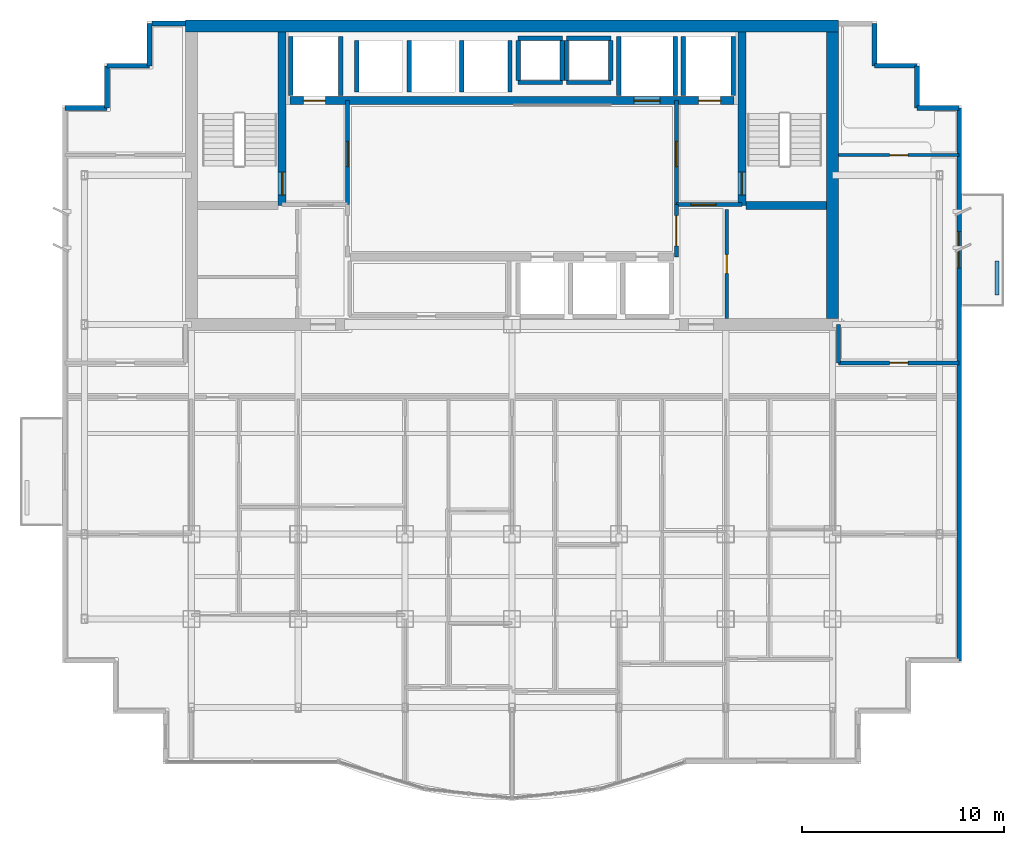
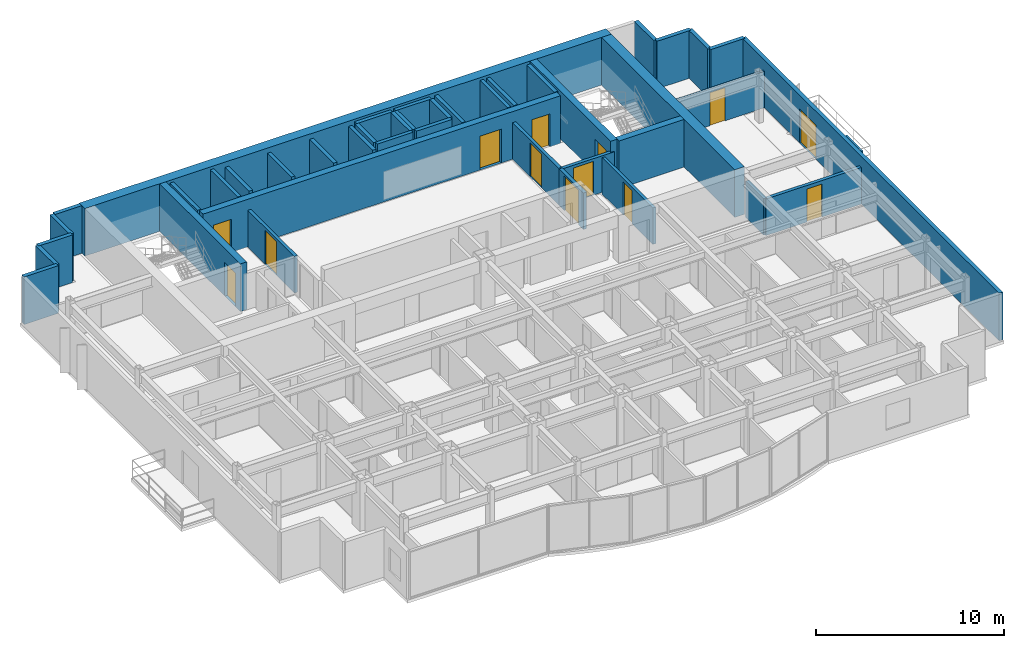
# One storey, part 8 of 11: 43 walls, 13 doors, 13 openings.
"""IFC4 building model written with IfcOpenShell, lengths in metres."""

from ifc_helpers import new_model, si_unit, direction, frame, frame_2d, origin, place, context, subcontext, project, spatial, rectangle, extrude, material, layer, layer_set, type_object, element, fill, save


model = new_model("IFC4")

# Units and contexts
model_context = context("Model", 3, precision=1e-05, world=origin(), true_north=direction((0.0, 1.0)))
body_context = subcontext(model_context, "Body", "Model", "MODEL_VIEW")
ifc_project = project(units=[si_unit("LENGTHUNIT", "METRE"), si_unit("AREAUNIT", "SQUARE_METRE"), si_unit("VOLUMEUNIT", "CUBIC_METRE"), si_unit("PLANEANGLEUNIT", "RADIAN"), si_unit("MASSUNIT", "GRAM", prefix="KILO")], contexts=[model_context])

# Site, building, storey
site_placement = place(None, origin())
site = spatial("IfcSite", under=ifc_project, at=site_placement, CompositionType="ELEMENT")
building_placement = place(site_placement, origin())
building = spatial("IfcBuilding", under=site, at=building_placement, Name="Qianlan Lanfeng Residences", CompositionType="ELEMENT")
storey_placement = place(building_placement, frame((0.0, 0.0, 175.5)))
storey = spatial("IfcBuildingStorey", under=building, at=storey_placement, Name="L48", CompositionType="ELEMENT", Elevation=175.5)

# Wall, opening, door
ifc_material_1 = material(Name="Concrete C56", Category="concrete")
ifc_layer_1 = layer(ifc_material_1, 0.39990234375)
ifc_layer_set_1 = layer_set([ifc_layer_1], Name="Concrete C56")
wall_type_1 = type_object("IfcWallType", Name="CW-RC-400", PredefinedType="SHEAR", material=ifc_layer_set_1)
wall_1_placement = place(storey_placement, frame((15.10009765625, 31.10009765625, 0.0), z_axis=(0.0, 0.0, 1.0), x_axis=(0.0, 1.0, 0.0)))
wall_1 = element("IfcWall", 1, at=wall_1_placement, inside=storey, type_object=wall_type_1, Name="L48 Core Shear Wall ST1E", PredefinedType="SHEAR", context=body_context, shape_type="SweptSolid", body=[
    extrude(rectangle(XDim=8.599853515625, YDim=0.39990234375, at=frame_2d((4.2998046875, 0.0))), origin(), (0.0, 0.0, 1.0), 3.10009765625),
])
opening_1_placement = place(wall_1_placement, frame((0.510009765625, 0.0, 0.0)))
opening_1 = element("IfcOpeningElement", 2, at=opening_1_placement, cuts=wall_1, Name="Opening L48-D07", PredefinedType="OPENING", context=body_context, shape_type="SweptSolid", body=[
    extrude(rectangle(XDim=1.14990234375, YDim=2.199951171875, at=frame_2d((0.574951171875, 1.10009765625))), frame((0.0, 0.2099609375, 0.0), z_axis=(0.0, -1.0, 0.0), x_axis=(1.0, 0.0, 0.0)), (0.0, 0.0, 1.0), 0.419921875),
])
ifc_material_2 = material(Name="Painted Galvanised Steel Fire Door", Category="steel")
door_type_1 = type_object("IfcDoorType", Name="DT-ST1", OperationType="NOTDEFINED", PredefinedType="DOOR", material=ifc_material_2)
door_1_placement = place(opening_1_placement, frame((1.14990234375, 0.0, 0.0), z_axis=(0.0, 0.0, 1.0), x_axis=(-1.0, 0.0, 0.0)))
door_1 = element("IfcDoor", 3, at=door_1_placement, inside=storey, type_object=door_type_1, Name="L48 Exit Stair ST-1 Door L48-D07 (DT-ST1)", OperationType="SINGLE_SWING_RIGHT", OverallHeight=2.199951171875, OverallWidth=1.14990234375, PredefinedType="DOOR", context=body_context, shape_type="SweptSolid", body=[
    extrude(rectangle(XDim=1.14990234375, YDim=2.199951171875, at=frame_2d((0.574951171875, 1.10009765625))), frame((0.0, 0.02490234375, 0.0), z_axis=(0.0, -1.0, 0.0), x_axis=(1.0, 0.0, 0.0)), (0.0, 0.0, 1.0), 0.050048828125),
])
fill(opening_1, door_1)

wall_2_placement = place(storey_placement, frame((37.89990234375, 31.10009765625, 0.0), z_axis=(0.0, 0.0, 1.0), x_axis=(0.0, 1.0, 0.0)))
wall_2 = element("IfcWall", 4, at=wall_2_placement, inside=storey, type_object=wall_type_1, Name="L48 Core Shear Wall ST2W", PredefinedType="SHEAR", context=body_context, shape_type="SweptSolid", body=[
    extrude(rectangle(XDim=8.599853515625, YDim=0.39990234375, at=frame_2d((4.2998046875, 0.0))), origin(), (0.0, 0.0, 1.0), 3.10009765625),
])
opening_2_placement = place(wall_2_placement, frame((0.510009765625, 0.0, 0.0)))
opening_2 = element("IfcOpeningElement", 5, at=opening_2_placement, cuts=wall_2, Name="Opening L48-D08", PredefinedType="OPENING", context=body_context, shape_type="SweptSolid", body=[
    extrude(rectangle(XDim=1.14990234375, YDim=2.199951171875, at=frame_2d((0.574951171875, 1.10009765625))), frame((0.0, 0.2099609375, 0.0), z_axis=(0.0, -1.0, 0.0), x_axis=(1.0, 0.0, 0.0)), (0.0, 0.0, 1.0), 0.419921875),
])
door_2_placement = place(opening_2_placement, origin())
door_2 = element("IfcDoor", 6, at=door_2_placement, inside=storey, type_object=door_type_1, Name="L48 Exit Stair ST-2 Door L48-D08 (DT-ST1)", OperationType="SINGLE_SWING_RIGHT", OverallHeight=2.199951171875, OverallWidth=1.14990234375, PredefinedType="DOOR", context=body_context, shape_type="SweptSolid", body=[
    extrude(rectangle(XDim=1.14990234375, YDim=2.199951171875, at=frame_2d((0.574951171875, 1.10009765625))), frame((0.0, 0.02490234375, 0.0), z_axis=(0.0, -1.0, 0.0), x_axis=(1.0, 0.0, 0.0)), (0.0, 0.0, 1.0), 0.050048828125),
])
fill(opening_2, door_2)

# Wall
wall_3_placement = place(storey_placement, frame((38.10009765625, 31.10009765625, 0.0), z_axis=(0.0, 0.0, 1.0), x_axis=(1.0, 0.0, 0.0)))
element("IfcWall", 7, at=wall_3_placement, inside=storey, type_object=wall_type_1, Name="L48 Core Shear Wall ST2S", PredefinedType="SHEAR", context=body_context, shape_type="SweptSolid", body=[
    extrude(rectangle(XDim=4.0, YDim=0.39990234375, at=frame_2d((2.0, 0.0))), origin(), (0.0, 0.0, 1.0), 3.10009765625),
])

# Wall, openings, doors
wall_4_placement = place(storey_placement, frame((15.5, 36.300048828125, 0.0), z_axis=(0.0, 0.0, 1.0), x_axis=(1.0, 0.0, 0.0)))
wall_4 = element("IfcWall", 8, at=wall_4_placement, inside=storey, type_object=wall_type_1, Name="L48 Core Shear Wall LBN", PredefinedType="SHEAR", context=body_context, shape_type="SweptSolid", body=[
    extrude(rectangle(XDim=22.0, YDim=0.39990234375, at=frame_2d((11.0, 0.0))), origin(), (0.0, 0.0, 1.0), 3.10009765625),
])
opening_3_placement = place(wall_4_placement, frame((0.64990234375, 0.0, 0.0)))
opening_3 = element("IfcOpeningElement", 9, at=opening_3_placement, cuts=wall_4, Name="Opening L48-LD-FFL-1", PredefinedType="OPENING", context=body_context, shape_type="SweptSolid", body=[
    extrude(rectangle(XDim=1.10009765625, YDim=2.14990234375, at=frame_2d((0.550048828125, 1.074951171875))), frame((0.0, 0.2099609375, 0.0), z_axis=(0.0, -1.0, 0.0), x_axis=(1.0, 0.0, 0.0)), (0.0, 0.0, 1.0), 0.419921875),
])
opening_4_placement = place(wall_4_placement, frame((20.25, 0.0, 0.0)))
opening_4 = element("IfcOpeningElement", 10, at=opening_4_placement, cuts=wall_4, Name="Opening L48-LD-FFL-2", PredefinedType="OPENING", context=body_context, shape_type="SweptSolid", body=[
    extrude(rectangle(XDim=1.10009765625, YDim=2.14990234375, at=frame_2d((0.550048828125, 1.074951171875))), frame((0.0, 0.2099609375, 0.0), z_axis=(0.0, -1.0, 0.0), x_axis=(1.0, 0.0, 0.0)), (0.0, 0.0, 1.0), 0.419921875),
])
opening_5_placement = place(wall_4_placement, frame((17.050048828125, 0.0, 0.0)))
opening_5 = element("IfcOpeningElement", 11, at=opening_5_placement, cuts=wall_4, Name="Opening L48-LD-SVL-1", PredefinedType="OPENING", context=body_context, shape_type="SweptSolid", body=[
    extrude(rectangle(XDim=1.300048828125, YDim=2.199951171875, at=frame_2d((0.64990234375, 1.10009765625))), frame((0.0, 0.2099609375, 0.0), z_axis=(0.0, -1.0, 0.0), x_axis=(1.0, 0.0, 0.0)), (0.0, 0.0, 1.0), 0.419921875),
])
ifc_material_3 = material(Name="Brushed Stainless Steel Sliding Lift Door", Category="steel")
door_type_2 = type_object("IfcDoorType", Name="LD-01", OperationType="NOTDEFINED", PredefinedType="DOOR", material=ifc_material_3)
door_3_placement = place(opening_3_placement, frame((1.10009765625, 0.0, 0.0), z_axis=(0.0, 0.0, 1.0), x_axis=(-1.0, 0.0, 0.0)))
door_3 = element("IfcDoor", 12, at=door_3_placement, inside=storey, type_object=door_type_2, Name="L48 Elevator FFL-1 Sliding Landing Door", OperationType="DOUBLE_DOOR_SLIDING", OverallHeight=2.14990234375, OverallWidth=1.10009765625, PredefinedType="DOOR", context=body_context, shape_type="SweptSolid", body=[
    extrude(rectangle(XDim=1.10009765625, YDim=2.14990234375, at=frame_2d((0.550048828125, 1.074951171875))), frame((0.0, 0.02490234375, 0.0), z_axis=(0.0, -1.0, 0.0), x_axis=(1.0, 0.0, 0.0)), (0.0, 0.0, 1.0), 0.050048828125),
])
fill(opening_3, door_3)
door_4_placement = place(opening_4_placement, frame((1.10009765625, 0.0, 0.0), z_axis=(0.0, 0.0, 1.0), x_axis=(-1.0, 0.0, 0.0)))
door_4 = element("IfcDoor", 13, at=door_4_placement, inside=storey, type_object=door_type_2, Name="L48 Elevator FFL-2 Sliding Landing Door", OperationType="DOUBLE_DOOR_SLIDING", OverallHeight=2.14990234375, OverallWidth=1.10009765625, PredefinedType="DOOR", context=body_context, shape_type="SweptSolid", body=[
    extrude(rectangle(XDim=1.10009765625, YDim=2.14990234375, at=frame_2d((0.550048828125, 1.074951171875))), frame((0.0, 0.02490234375, 0.0), z_axis=(0.0, -1.0, 0.0), x_axis=(1.0, 0.0, 0.0)), (0.0, 0.0, 1.0), 0.050048828125),
])
fill(opening_4, door_4)
door_type_3 = type_object("IfcDoorType", Name="LD-02", OperationType="NOTDEFINED", PredefinedType="DOOR", material=ifc_material_3)
door_5_placement = place(opening_5_placement, frame((1.300048828125, 0.0, 0.0), z_axis=(0.0, 0.0, 1.0), x_axis=(-1.0, 0.0, 0.0)))
door_5 = element("IfcDoor", 14, at=door_5_placement, inside=storey, type_object=door_type_3, Name="L48 Elevator SVL-1 Sliding Landing Door", OperationType="DOUBLE_DOOR_SLIDING", OverallHeight=2.199951171875, OverallWidth=1.300048828125, PredefinedType="DOOR", context=body_context, shape_type="SweptSolid", body=[
    extrude(rectangle(XDim=1.300048828125, YDim=2.199951171875, at=frame_2d((0.64990234375, 1.10009765625))), frame((0.0, 0.02490234375, 0.0), z_axis=(0.0, -1.0, 0.0), x_axis=(1.0, 0.0, 0.0)), (0.0, 0.0, 1.0), 0.050048828125),
])
fill(opening_5, door_5)

# Walls
ifc_layer_2 = layer(ifc_material_1, 0.60009765625)
ifc_layer_set_2 = layer_set([ifc_layer_2], Name="Concrete C56")
wall_type_2 = type_object("IfcWallType", Name="CW-RC-600", PredefinedType="SHEAR", material=ifc_layer_set_2)
wall_5_placement = place(storey_placement, frame((10.300048828125, 40.0, 0.0), z_axis=(0.0, 0.0, 1.0), x_axis=(1.0, 0.0, 0.0)))
element("IfcWall", 15, at=wall_5_placement, inside=storey, type_object=wall_type_2, Name="L48 Core Shear Wall N", PredefinedType="SHEAR", context=body_context, shape_type="SweptSolid", body=[
    extrude(rectangle(XDim=32.39990234375, YDim=0.60009765625, at=frame_2d((16.199951171875, 0.0))), origin(), (0.0, 0.0, 1.0), 3.10009765625),
])
wall_6_placement = place(storey_placement, frame((42.39990234375, 25.5, 0.0), z_axis=(0.0, 0.0, 1.0), x_axis=(0.0, 1.0, 0.0)))
element("IfcWall", 16, at=wall_6_placement, inside=storey, type_object=wall_type_2, Name="L48 Core Shear Wall E", PredefinedType="SHEAR", context=body_context, shape_type="SweptSolid", body=[
    extrude(rectangle(XDim=14.199951171875, YDim=0.60009765625, at=frame_2d((7.10009765625, 0.0))), origin(), (0.0, 0.0, 1.0), 3.10009765625),
])

# Wall, opening, door
ifc_material_4 = material(Name="Concrete C42", Category="concrete")
ifc_layer_3 = layer(ifc_material_4, 0.239990234375)
ifc_layer_set_3 = layer_set([ifc_layer_3], Name="Concrete C42")
wall_type_3 = type_object("IfcWallType", Name="EW-240", PredefinedType="SOLIDWALL", material=ifc_layer_set_3)
wall_7_placement = place(storey_placement, frame((48.679931640625, 8.52001953125, 0.0), z_axis=(0.0, 0.0, 1.0), x_axis=(0.0, 1.0, 0.0)))
wall_7 = element("IfcWall", 17, at=wall_7_placement, inside=storey, type_object=wall_type_3, Name="L48 Terrace/Balcony Access Exterior Wall 10", PredefinedType="SOLIDWALL", context=body_context, shape_type="SweptSolid", body=[
    extrude(rectangle(XDim=27.409912109375, YDim=0.239990234375, at=frame_2d((13.705078125, 0.0))), origin(), (0.0, 0.0, 1.0), 3.10009765625),
])
opening_6_placement = place(wall_7_placement, frame((19.47998046875, 0.0, 0.0)))
opening_6 = element("IfcOpeningElement", 18, at=opening_6_placement, cuts=wall_7, Name="Opening L48-D-EB-N", PredefinedType="OPENING", context=body_context, shape_type="SweptSolid", body=[
    extrude(rectangle(XDim=1.800048828125, YDim=2.199951171875, at=frame_2d((0.89990234375, 1.10009765625))), frame((0.0, 0.1298828125, 0.0), z_axis=(0.0, -1.0, 0.0), x_axis=(1.0, 0.0, 0.0)), (0.0, 0.0, 1.0), 0.260009765625),
])
ifc_material_5 = material(Name="Anodised Bronze Aluminium Framed Glass", Category="aluminium")
door_type_4 = type_object("IfcDoorType", Name="DT-BAL1", OperationType="NOTDEFINED", PredefinedType="DOOR", material=ifc_material_5)
door_6_placement = place(opening_6_placement, frame((1.800048828125, 0.0, 0.0), z_axis=(0.0, 0.0, 1.0), x_axis=(-1.0, 0.0, 0.0)))
door_6 = element("IfcDoor", 19, at=door_6_placement, inside=storey, type_object=door_type_4, Name="L48 Exterior Access Door EB-N", OperationType="DOUBLE_DOOR_SLIDING", OverallHeight=2.199951171875, OverallWidth=1.800048828125, PredefinedType="DOOR", context=body_context, shape_type="SweptSolid", body=[
    extrude(rectangle(XDim=1.800048828125, YDim=2.199951171875, at=frame_2d((0.89990234375, 1.10009765625))), frame((0.0, 0.02490234375, 0.0), z_axis=(0.0, -1.0, 0.0), x_axis=(1.0, 0.0, 0.0)), (0.0, 0.0, 1.0), 0.050048828125),
])
fill(opening_6, door_6)

# Walls
wall_8_placement = place(storey_placement, frame((48.679931640625, 35.929931640625, 0.0), z_axis=(0.0, 0.0, 1.0), x_axis=(-1.0, 0.0, 0.0)))
element("IfcWall", 20, at=wall_8_placement, inside=storey, type_object=wall_type_3, Name="L48 Exterior Facade Spandrel Wall 11", PredefinedType="SOLIDWALL", context=body_context, shape_type="SweptSolid", body=[
    extrude(rectangle(XDim=2.099853515625, YDim=0.239990234375, at=frame_2d((1.0498046875, 0.0))), origin(), (0.0, 0.0, 1.0), 3.10009765625),
])
for number, where, z_axis, x_axis, name in (
    (21, (46.580078125, 35.929931640625, 0.0), (0.0, 0.0, 1.0), (0.0, 1.0, 0.0), "L48 Exterior Facade Spandrel Wall 12"),
    (22, (46.580078125, 38.030029296875, 0.0), (0.0, 0.0, 1.0), (-1.0, 0.0, 0.0), "L48 Exterior Facade Spandrel Wall 13"),
):
    element("IfcWall", number, at=place(storey_placement, frame(where, z_axis=z_axis, x_axis=x_axis)), inside=storey, type_object=wall_type_3, Name=name, PredefinedType="SOLIDWALL", context=body_context, shape_type="SweptSolid", body=[
        extrude(rectangle(XDim=2.10009765625, YDim=0.239990234375, at=frame_2d((1.050048828125, 0.0))), origin(), (0.0, 0.0, 1.0), 3.10009765625),
    ])
wall_9_placement = place(storey_placement, frame((44.47998046875, 38.030029296875, 0.0), z_axis=(0.0, 0.0, 1.0), x_axis=(0.0, 1.0, 0.0)))
element("IfcWall", 23, at=wall_9_placement, inside=storey, type_object=wall_type_3, Name="L48 Exterior Facade Spandrel Wall 14", PredefinedType="SOLIDWALL", context=body_context, shape_type="SweptSolid", body=[
    extrude(rectangle(XDim=2.099853515625, YDim=0.239990234375, at=frame_2d((1.0498046875, 0.0))), origin(), (0.0, 0.0, 1.0), 3.10009765625),
])
wall_10_placement = place(storey_placement, frame((10.300048828125, 40.1298828125, 0.0), z_axis=(0.0, 0.0, 1.0), x_axis=(-1.0, 0.0, 0.0)))
element("IfcWall", 24, at=wall_10_placement, inside=storey, type_object=wall_type_3, Name="L48 North Wing Exterior Wall W", PredefinedType="SOLIDWALL", context=body_context, shape_type="SweptSolid", body=[
    extrude(rectangle(XDim=1.650146484375, YDim=0.239990234375, at=frame_2d((0.8251953125, 0.0))), origin(), (0.0, 0.0, 1.0), 3.10009765625),
])
wall_11_placement = place(storey_placement, frame((8.52001953125, 40.1298828125, 0.0), z_axis=(0.0, 0.0, 1.0), x_axis=(0.0, -1.0, 0.0)))
element("IfcWall", 25, at=wall_11_placement, inside=storey, type_object=wall_type_3, Name="L48 Exterior Facade Spandrel Wall 17", PredefinedType="SOLIDWALL", context=body_context, shape_type="SweptSolid", body=[
    extrude(rectangle(XDim=2.099853515625, YDim=0.239990234375, at=frame_2d((1.0498046875, 0.0))), origin(), (0.0, 0.0, 1.0), 3.10009765625),
])
for number, where, z_axis, x_axis, name in (
    (26, (8.52001953125, 38.030029296875, 0.0), (0.0, 0.0, 1.0), (-1.0, 0.0, 0.0), "L48 Exterior Facade Spandrel Wall 18"),
    (27, (6.419921875, 38.030029296875, 0.0), (0.0, 0.0, 1.0), (0.0, -1.0, 0.0), "L48 Exterior Facade Spandrel Wall 19"),
):
    element("IfcWall", number, at=place(storey_placement, frame(where, z_axis=z_axis, x_axis=x_axis)), inside=storey, type_object=wall_type_3, Name=name, PredefinedType="SOLIDWALL", context=body_context, shape_type="SweptSolid", body=[
        extrude(rectangle(XDim=2.10009765625, YDim=0.239990234375, at=frame_2d((1.050048828125, 0.0))), origin(), (0.0, 0.0, 1.0), 3.10009765625),
    ])
wall_12_placement = place(storey_placement, frame((6.419921875, 35.929931640625, 0.0), z_axis=(0.0, 0.0, 1.0), x_axis=(-1.0, 0.0, 0.0)))
element("IfcWall", 28, at=wall_12_placement, inside=storey, type_object=wall_type_3, Name="L48 Exterior Facade Spandrel Wall 20", PredefinedType="SOLIDWALL", context=body_context, shape_type="SweptSolid", body=[
    extrude(rectangle(XDim=2.099853515625, YDim=0.239990234375, at=frame_2d((1.0498046875, 0.0))), origin(), (0.0, 0.0, 1.0), 3.10009765625),
])
ifc_layer_4 = layer(ifc_material_4, 0.199951171875)
ifc_layer_set_4 = layer_set([ifc_layer_4], Name="Concrete C42")
wall_type_4 = type_object("IfcWallType", Name="PL-TREE-200", PredefinedType="PARAPET", material=ifc_layer_set_4)
wall_13_placement = place(storey_placement, frame((50.550048828125, 26.64990234375, 0.0), z_axis=(0.0, 0.0, 1.0), x_axis=(0.0, 1.0, 0.0)))
element("IfcWall", 29, at=wall_13_placement, inside=storey, type_object=wall_type_4, Name="L48 East Tree Planter Curb EB-N", PredefinedType="PARAPET", context=body_context, shape_type="SweptSolid", body=[
    extrude(rectangle(XDim=1.7001953125, YDim=0.199951171875, at=frame_2d((0.85009765625, 0.0))), origin(), (0.0, 0.0, 1.0), 0.64990234375),
])

# Wall, opening, door
ifc_material_6 = material(Name="Moisture-Resistant Gypsum Partition 135 mm")
ifc_layer_5 = layer(ifc_material_6, 0.135009765625)
ifc_layer_set_5 = layer_set([ifc_layer_5], Name="Moisture-Resistant Gypsum Partition 135 mm")
wall_type_5 = type_object("IfcWallType", Name="PW-135", PredefinedType="PARTITIONING", material=ifc_layer_set_5)
wall_14_placement = place(storey_placement, frame((42.699951171875, 33.60009765625, 0.0), z_axis=(0.0, 0.0, 1.0), x_axis=(1.0, 0.0, 0.0)))
wall_14 = element("IfcWall", 30, at=wall_14_placement, inside=storey, type_object=wall_type_5, Name="L48 EW North Wing Wall", PredefinedType="PARTITIONING", context=body_context, shape_type="SweptSolid", body=[
    extrude(rectangle(XDim=5.97998046875, YDim=0.135009765625, at=frame_2d((2.989990234375, 0.0))), origin(), (0.0, 0.0, 1.0), 2.3798828125),
])
opening_7_placement = place(wall_14_placement, frame((2.530029296875, 0.0, 0.0)))
opening_7 = element("IfcOpeningElement", 31, at=opening_7_placement, cuts=wall_14, Name="Opening L48-D44", PredefinedType="OPENING", context=body_context, shape_type="SweptSolid", body=[
    extrude(rectangle(XDim=0.919921875, YDim=2.14990234375, at=frame_2d((0.4599609375, 1.074951171875))), frame((0.0, 0.07763671875, 0.0), z_axis=(0.0, -1.0, 0.0), x_axis=(1.0, 0.0, 0.0)), (0.0, 0.0, 1.0), 0.155029296875),
])
ifc_material_7 = material(Name="Glazed Timber Kitchen/Study Door", Category="wood")
door_type_5 = type_object("IfcDoorType", Name="DT-INT", OperationType="NOTDEFINED", PredefinedType="DOOR", material=ifc_material_7)
door_7_placement = place(opening_7_placement, origin())
door_7 = element("IfcDoor", 32, at=door_7_placement, inside=storey, type_object=door_type_5, Name="L48 EW Inner Salon Door L48-D44 (DT-INT)", OperationType="SINGLE_SWING_LEFT", OverallHeight=2.14990234375, OverallWidth=0.919921875, PredefinedType="DOOR", context=body_context, shape_type="SweptSolid", body=[
    extrude(rectangle(XDim=0.919921875, YDim=2.14990234375, at=frame_2d((0.4599609375, 1.074951171875))), frame((0.0, 0.02490234375, 0.0), z_axis=(0.0, -1.0, 0.0), x_axis=(1.0, 0.0, 0.0)), (0.0, 0.0, 1.0), 0.050048828125),
])
fill(opening_7, door_7)

ifc_material_8 = material(Name="Double-Layer Acoustic Gypsum Stud Wall 180 mm")
ifc_layer_6 = layer(ifc_material_8, 0.179931640625)
ifc_layer_set_6 = layer_set([ifc_layer_6], Name="Double-Layer Acoustic Gypsum Stud Wall 180 mm")
wall_type_6 = type_object("IfcWallType", Name="PW-180", PredefinedType="PARTITIONING", material=ifc_layer_set_6)
wall_15_placement = place(storey_placement, frame((37.14990234375, 25.5, 0.0), z_axis=(0.0, 0.0, 1.0), x_axis=(0.0, 1.0, 0.0)))
wall_15 = element("IfcWall", 33, at=wall_15_placement, inside=storey, type_object=wall_type_6, Name="L48 Core East Service Room Wall", PredefinedType="PARTITIONING", context=body_context, shape_type="SweptSolid", body=[
    extrude(rectangle(XDim=5.39990234375, YDim=0.179931640625, at=frame_2d((2.699951171875, 0.0))), origin(), (0.0, 0.0, 1.0), 2.3798828125),
])
opening_8_placement = place(wall_15_placement, frame((2.239990234375, 0.0, 0.0)))
opening_8 = element("IfcOpeningElement", 34, at=opening_8_placement, cuts=wall_15, Name="Opening L48-D11", PredefinedType="OPENING", context=body_context, shape_type="SweptSolid", body=[
    extrude(rectangle(XDim=0.919921875, YDim=2.14990234375, at=frame_2d((0.4599609375, 1.074951171875))), frame((0.0, 0.10009765625, 0.0), z_axis=(0.0, -1.0, 0.0), x_axis=(1.0, 0.0, 0.0)), (0.0, 0.0, 1.0), 0.199951171875),
])
door_8_placement = place(opening_8_placement, origin())
door_8 = element("IfcDoor", 35, at=door_8_placement, inside=storey, type_object=door_type_5, Name="L48 Mail Parcel Closet Door L48-D11 (DT-INT)", OperationType="SINGLE_SWING_RIGHT", OverallHeight=2.14990234375, OverallWidth=0.919921875, PredefinedType="DOOR", context=body_context, shape_type="SweptSolid", body=[
    extrude(rectangle(XDim=0.919921875, YDim=2.14990234375, at=frame_2d((0.4599609375, 1.074951171875))), frame((0.0, 0.02490234375, 0.0), z_axis=(0.0, -1.0, 0.0), x_axis=(1.0, 0.0, 0.0)), (0.0, 0.0, 1.0), 0.050048828125),
])
fill(opening_8, door_8)

ifc_material_9 = material(Name="Autoclaved Aerated Concrete Blockwork 200 mm", Category="masonry")
ifc_layer_7 = layer(ifc_material_9, 0.199951171875)
ifc_layer_set_7 = layer_set([ifc_layer_7], Name="Autoclaved Aerated Concrete Blockwork 200 mm")
wall_type_7 = type_object("IfcWallType", Name="PW-200", PredefinedType="PARTITIONING", material=ifc_layer_set_7)
wall_16_placement = place(storey_placement, frame((18.35009765625, 31.14990234375, 0.0), z_axis=(0.0, 0.0, 1.0), x_axis=(0.0, 1.0, 0.0)))
wall_16 = element("IfcWall", 36, at=wall_16_placement, inside=storey, type_object=wall_type_7, Name="L48 Firefighting Lobby 1 East Wall", PredefinedType="PARTITIONING", context=body_context, shape_type="SweptSolid", body=[
    extrude(rectangle(XDim=5.150146484375, YDim=0.199951171875, at=frame_2d((2.5751953125, 0.0))), origin(), (0.0, 0.0, 1.0), 2.3798828125),
])
opening_9_placement = place(wall_16_placement, frame((1.875, 0.0, 0.0)))
opening_9 = element("IfcOpeningElement", 37, at=opening_9_placement, cuts=wall_16, Name="Opening L48-D04", PredefinedType="OPENING", context=body_context, shape_type="SweptSolid", body=[
    extrude(rectangle(XDim=1.25, YDim=2.199951171875, at=frame_2d((0.625, 1.10009765625))), frame((0.0, 0.10986328125, 0.0), z_axis=(0.0, -1.0, 0.0), x_axis=(1.0, 0.0, 0.0)), (0.0, 0.0, 1.0), 0.219970703125),
])
door_type_6 = type_object("IfcDoorType", Name="DT-FFL", OperationType="NOTDEFINED", PredefinedType="DOOR", material=ifc_material_2)
door_9_placement = place(opening_9_placement, origin())
door_9 = element("IfcDoor", 38, at=door_9_placement, inside=storey, type_object=door_type_6, Name="L48 Firefighting Lobby 1 Lift Lobby Door L48-D04 (DT-FFL)", OperationType="SINGLE_SWING_LEFT", OverallHeight=2.199951171875, OverallWidth=1.25, PredefinedType="DOOR", context=body_context, shape_type="SweptSolid", body=[
    extrude(rectangle(XDim=1.25, YDim=2.199951171875, at=frame_2d((0.625, 1.10009765625))), frame((0.0, 0.02490234375, 0.0), z_axis=(0.0, -1.0, 0.0), x_axis=(1.0, 0.0, 0.0)), (0.0, 0.0, 1.0), 0.050048828125),
])
fill(opening_9, door_9)

wall_17_placement = place(storey_placement, frame((34.64990234375, 31.14990234375, 0.0), z_axis=(0.0, 0.0, 1.0), x_axis=(1.0, 0.0, 0.0)))
wall_17 = element("IfcWall", 39, at=wall_17_placement, inside=storey, type_object=wall_type_7, Name="L48 Firefighting Lobby 2 South Wall", PredefinedType="PARTITIONING", context=body_context, shape_type="SweptSolid", body=[
    extrude(rectangle(XDim=3.25, YDim=0.199951171875, at=frame_2d((1.625, 0.0))), origin(), (0.0, 0.0, 1.0), 2.3798828125),
])
opening_10_placement = place(wall_17_placement, frame((0.72509765625, 0.0, 0.0)))
opening_10 = element("IfcOpeningElement", 40, at=opening_10_placement, cuts=wall_17, Name="Opening L48-D05", PredefinedType="OPENING", context=body_context, shape_type="SweptSolid", body=[
    extrude(rectangle(XDim=1.25, YDim=2.199951171875, at=frame_2d((0.625, 1.10009765625))), frame((0.0, 0.10986328125, 0.0), z_axis=(0.0, -1.0, 0.0), x_axis=(1.0, 0.0, 0.0)), (0.0, 0.0, 1.0), 0.219970703125),
])
door_10_placement = place(opening_10_placement, origin())
door_10 = element("IfcDoor", 41, at=door_10_placement, inside=storey, type_object=door_type_6, Name="L48 Firefighting Lobby 2 Entry Door L48-D05 (DT-FFL)", OperationType="SINGLE_SWING_RIGHT", OverallHeight=2.199951171875, OverallWidth=1.25, PredefinedType="DOOR", context=body_context, shape_type="SweptSolid", body=[
    extrude(rectangle(XDim=1.25, YDim=2.199951171875, at=frame_2d((0.625, 1.10009765625))), frame((0.0, 0.02490234375, 0.0), z_axis=(0.0, -1.0, 0.0), x_axis=(1.0, 0.0, 0.0)), (0.0, 0.0, 1.0), 0.050048828125),
])
fill(opening_10, door_10)

wall_18_placement = place(storey_placement, frame((34.64990234375, 31.14990234375, 0.0), z_axis=(0.0, 0.0, 1.0), x_axis=(0.0, 1.0, 0.0)))
wall_18 = element("IfcWall", 42, at=wall_18_placement, inside=storey, type_object=wall_type_7, Name="L48 Firefighting Lobby 2 West Wall", PredefinedType="PARTITIONING", context=body_context, shape_type="SweptSolid", body=[
    extrude(rectangle(XDim=5.150146484375, YDim=0.199951171875, at=frame_2d((2.5751953125, 0.0))), origin(), (0.0, 0.0, 1.0), 2.3798828125),
])
opening_11_placement = place(wall_18_placement, frame((1.875, 0.0, 0.0)))
opening_11 = element("IfcOpeningElement", 43, at=opening_11_placement, cuts=wall_18, Name="Opening L48-D06", PredefinedType="OPENING", context=body_context, shape_type="SweptSolid", body=[
    extrude(rectangle(XDim=1.25, YDim=2.199951171875, at=frame_2d((0.625, 1.10009765625))), frame((0.0, 0.10986328125, 0.0), z_axis=(0.0, -1.0, 0.0), x_axis=(1.0, 0.0, 0.0)), (0.0, 0.0, 1.0), 0.219970703125),
])
door_11_placement = place(opening_11_placement, origin())
door_11 = element("IfcDoor", 44, at=door_11_placement, inside=storey, type_object=door_type_6, Name="L48 Firefighting Lobby 2 Lift Lobby Door L48-D06 (DT-FFL)", OperationType="SINGLE_SWING_LEFT", OverallHeight=2.199951171875, OverallWidth=1.25, PredefinedType="DOOR", context=body_context, shape_type="SweptSolid", body=[
    extrude(rectangle(XDim=1.25, YDim=2.199951171875, at=frame_2d((0.625, 1.10009765625))), frame((0.0, 0.02490234375, 0.0), z_axis=(0.0, -1.0, 0.0), x_axis=(1.0, 0.0, 0.0)), (0.0, 0.0, 1.0), 0.050048828125),
])
fill(opening_11, door_11)

wall_19_placement = place(storey_placement, frame((34.64990234375, 28.550048828125, 0.0), z_axis=(0.0, 0.0, 1.0), x_axis=(0.0, 1.0, 0.0)))
wall_19 = element("IfcWall", 45, at=wall_19_placement, inside=storey, type_object=wall_type_7, Name="L48 Lift Lobby East Connector Wall", PredefinedType="PARTITIONING", context=body_context, shape_type="SweptSolid", body=[
    extrude(rectangle(XDim=2.599853515625, YDim=0.199951171875, at=frame_2d((1.2998046875, 0.0))), origin(), (0.0, 0.0, 1.0), 2.3798828125),
])
opening_12_placement = place(wall_19_placement, frame((0.550048828125, 0.0, 0.0)))
opening_12 = element("IfcOpeningElement", 46, at=opening_12_placement, cuts=wall_19, Name="Opening L48-D13", PredefinedType="OPENING", context=body_context, shape_type="SweptSolid", body=[
    extrude(rectangle(XDim=1.5, YDim=2.25, at=frame_2d((0.75, 1.125))), frame((0.0, 0.10986328125, 0.0), z_axis=(0.0, -1.0, 0.0), x_axis=(1.0, 0.0, 0.0)), (0.0, 0.0, 1.0), 0.219970703125),
])
ifc_material_10 = material(Name="Timber Veneer Acoustic Fire Door", Category="wood")
door_type_7 = type_object("IfcDoorType", Name="DT-COR1", OperationType="NOTDEFINED", PredefinedType="DOOR", material=ifc_material_10)
door_12_placement = place(opening_12_placement, frame((1.5, 0.0, 0.0), z_axis=(0.0, 0.0, 1.0), x_axis=(-1.0, 0.0, 0.0)))
door_12 = element("IfcDoor", 47, at=door_12_placement, inside=storey, type_object=door_type_7, Name="L48 Lift Lobby East Portal Door L48-D13 (DT-COR1)", OperationType="DOUBLE_DOOR_SINGLE_SWING", OverallHeight=2.25, OverallWidth=1.5, PredefinedType="DOOR", context=body_context, shape_type="SweptSolid", body=[
    extrude(rectangle(XDim=1.5, YDim=2.25, at=frame_2d((0.75, 1.125))), frame((0.0, 0.02490234375, 0.0), z_axis=(0.0, -1.0, 0.0), x_axis=(1.0, 0.0, 0.0)), (0.0, 0.0, 1.0), 0.050048828125),
])
fill(opening_12, door_12)

wall_20_placement = place(storey_placement, frame((42.699951171875, 23.300048828125, 0.0), z_axis=(0.0, 0.0, 1.0), x_axis=(1.0, 0.0, 0.0)))
wall_20 = element("IfcWall", 48, at=wall_20_placement, inside=storey, type_object=wall_type_7, Name="L48 Corridor NE Wall", PredefinedType="PARTITIONING", context=body_context, shape_type="SweptSolid", body=[
    extrude(rectangle(XDim=5.97998046875, YDim=0.199951171875, at=frame_2d((2.989990234375, 0.0))), origin(), (0.0, 0.0, 1.0), 2.3798828125),
])
opening_13_placement = place(wall_20_placement, frame((2.530029296875, 0.0, 0.0)))
opening_13 = element("IfcOpeningElement", 49, at=opening_13_placement, cuts=wall_20, Name="Opening L48-D45", PredefinedType="OPENING", context=body_context, shape_type="SweptSolid", body=[
    extrude(rectangle(XDim=0.919921875, YDim=2.14990234375, at=frame_2d((0.4599609375, 1.074951171875))), frame((0.0, 0.10986328125, 0.0), z_axis=(0.0, -1.0, 0.0), x_axis=(1.0, 0.0, 0.0)), (0.0, 0.0, 1.0), 0.219970703125),
])
door_13_placement = place(opening_13_placement, origin())
door_13 = element("IfcDoor", 50, at=door_13_placement, inside=storey, type_object=door_type_5, Name="L48 EW Amenity Salon Door L48-D45 (DT-INT)", OperationType="SINGLE_SWING_RIGHT", OverallHeight=2.14990234375, OverallWidth=0.919921875, PredefinedType="DOOR", context=body_context, shape_type="SweptSolid", body=[
    extrude(rectangle(XDim=0.919921875, YDim=2.14990234375, at=frame_2d((0.4599609375, 1.074951171875))), frame((0.0, 0.02490234375, 0.0), z_axis=(0.0, -1.0, 0.0), x_axis=(1.0, 0.0, 0.0)), (0.0, 0.0, 1.0), 0.050048828125),
])
fill(opening_13, door_13)

# Walls
wall_21_placement = place(storey_placement, frame((42.699951171875, 23.300048828125, 0.0), z_axis=(0.0, 0.0, 1.0), x_axis=(0.0, 1.0, 0.0)))
element("IfcWall", 51, at=wall_21_placement, inside=storey, type_object=wall_type_7, Name="L48 NE Wing Core Return Wall", PredefinedType="PARTITIONING", context=body_context, shape_type="SweptSolid", body=[
    extrude(rectangle(XDim=1.89990234375, YDim=0.199951171875, at=frame_2d((0.949951171875, 0.0))), origin(), (0.0, 0.0, 1.0), 2.3798828125),
])
ifc_material_11 = material(Name="Concrete C49", Category="concrete")
ifc_layer_8 = layer(ifc_material_11, 0.219970703125)
ifc_layer_set_8 = layer_set([ifc_layer_8], Name="Concrete C49")
wall_type_8 = type_object("IfcWallType", Name="SHW-220", PredefinedType="SOLIDWALL", material=ifc_layer_set_8)
for number, where, z_axis, x_axis, name in (
    (52, (15.52001953125, 36.550048828125, 0.0), (0.0, 0.0, 1.0), (0.0, 1.0, 0.0), "L48 Lift FFL-1 Shaft Wall W"),
    (53, (18.0, 36.550048828125, 0.0), (0.0, 0.0, 1.0), (0.0, 1.0, 0.0), "L48 Lift FFL-1 Shaft Wall E"),
    (54, (35.0, 36.550048828125, 0.0), (0.0, 0.0, 1.0), (0.0, 1.0, 0.0), "L48 Lift FFL-2 Shaft Wall W"),
    (55, (37.47998046875, 36.550048828125, 0.0), (0.0, 0.0, 1.0), (0.0, 1.0, 0.0), "L48 Lift FFL-2 Shaft Wall E"),
    (56, (31.800048828125, 36.550048828125, 0.0), (0.0, 0.0, 1.0), (0.0, 1.0, 0.0), "L48 Lift SVL-1 Shaft Wall W"),
    (57, (34.60009765625, 36.550048828125, 0.0), (0.0, 0.0, 1.0), (0.0, 1.0, 0.0), "L48 Lift SVL-1 Shaft Wall E"),
):
    element("IfcWall", number, at=place(storey_placement, frame(where, z_axis=z_axis, x_axis=x_axis)), inside=storey, type_object=wall_type_8, Name=name, PredefinedType="SOLIDWALL", context=body_context, shape_type="SweptSolid", body=[
        extrude(rectangle(XDim=2.929931640625, YDim=0.219970703125, at=frame_2d((1.46484375, 0.0))), origin(), (0.0, 0.0, 1.0), 3.10009765625),
    ])
for number, where, z_axis, x_axis, name in (
    (58, (18.800048828125, 36.719970703125, 0.0), (0.0, 0.0, 1.0), (0.0, 1.0, 0.0), "L48 Lift PL-H1 Shaft Wall W"),
    (59, (21.39990234375, 36.719970703125, 0.0), (0.0, 0.0, 1.0), (0.0, 1.0, 0.0), "L48 Lift PL-H2 Shaft Wall W"),
    (60, (24.0, 36.719970703125, 0.0), (0.0, 0.0, 1.0), (0.0, 1.0, 0.0), "L48 Lift PL-H3 Shaft Wall W"),
    (61, (26.39990234375, 36.719970703125, 0.0), (0.0, 0.0, 1.0), (0.0, 1.0, 0.0), "L48 Lift PL-H3 Shaft Wall E"),
):
    element("IfcWall", number, at=place(storey_placement, frame(where, z_axis=z_axis, x_axis=x_axis)), inside=storey, type_object=wall_type_8, Name=name, PredefinedType="SOLIDWALL", context=body_context, shape_type="SweptSolid", body=[
        extrude(rectangle(XDim=2.56005859375, YDim=0.219970703125, at=frame_2d((1.280029296875, 0.0))), origin(), (0.0, 0.0, 1.0), 3.10009765625),
    ])
for number, where, z_axis, x_axis, name in (
    (62, (26.800048828125, 37.31005859375, 0.0), (0.0, 0.0, 1.0), (0.0, 1.0, 0.0), "L48 MEP Riser MEP-R1 Shaft Wall W"),
    (63, (29.0, 37.31005859375, 0.0), (0.0, 0.0, 1.0), (0.0, 1.0, 0.0), "L48 MEP Riser MEP-R1 Shaft Wall E"),
):
    element("IfcWall", number, at=place(storey_placement, frame(where, z_axis=z_axis, x_axis=x_axis)), inside=storey, type_object=wall_type_8, Name=name, PredefinedType="SOLIDWALL", context=body_context, shape_type="SweptSolid", body=[
        extrude(rectangle(XDim=1.97998046875, YDim=0.219970703125, at=frame_2d((0.989990234375, 0.0))), origin(), (0.0, 0.0, 1.0), 3.10009765625),
    ])
for number, where, z_axis, x_axis, name in (
    (64, (26.800048828125, 39.39990234375, 0.0), (0.0, 0.0, 1.0), (1.0, 0.0, 0.0), "L48 MEP Riser MEP-R1 Shaft Wall N"),
    (65, (26.800048828125, 37.199951171875, 0.0), (0.0, 0.0, 1.0), (1.0, 0.0, 0.0), "L48 MEP Riser MEP-R1 Shaft Wall S"),
):
    element("IfcWall", number, at=place(storey_placement, frame(where, z_axis=z_axis, x_axis=x_axis)), inside=storey, type_object=wall_type_8, Name=name, PredefinedType="SOLIDWALL", context=body_context, shape_type="SweptSolid", body=[
        extrude(rectangle(XDim=2.199951171875, YDim=0.219970703125, at=frame_2d((1.10009765625, 0.0))), origin(), (0.0, 0.0, 1.0), 3.10009765625),
    ])
for number, where, z_axis, x_axis, name in (
    (66, (29.199951171875, 37.31005859375, 0.0), (0.0, 0.0, 1.0), (0.0, 1.0, 0.0), "L48 MEP Riser MEP-R2 Shaft Wall W"),
    (67, (31.39990234375, 37.31005859375, 0.0), (0.0, 0.0, 1.0), (0.0, 1.0, 0.0), "L48 MEP Riser MEP-R2 Shaft Wall E"),
):
    element("IfcWall", number, at=place(storey_placement, frame(where, z_axis=z_axis, x_axis=x_axis)), inside=storey, type_object=wall_type_8, Name=name, PredefinedType="SOLIDWALL", context=body_context, shape_type="SweptSolid", body=[
        extrude(rectangle(XDim=1.97998046875, YDim=0.219970703125, at=frame_2d((0.989990234375, 0.0))), origin(), (0.0, 0.0, 1.0), 3.10009765625),
    ])
for number, where, z_axis, x_axis, name in (
    (68, (29.199951171875, 39.39990234375, 0.0), (0.0, 0.0, 1.0), (1.0, 0.0, 0.0), "L48 MEP Riser MEP-R2 Shaft Wall N"),
    (69, (29.199951171875, 37.199951171875, 0.0), (0.0, 0.0, 1.0), (1.0, 0.0, 0.0), "L48 MEP Riser MEP-R2 Shaft Wall S"),
):
    element("IfcWall", number, at=place(storey_placement, frame(where, z_axis=z_axis, x_axis=x_axis)), inside=storey, type_object=wall_type_8, Name=name, PredefinedType="SOLIDWALL", context=body_context, shape_type="SweptSolid", body=[
        extrude(rectangle(XDim=2.199951171875, YDim=0.219970703125, at=frame_2d((1.10009765625, 0.0))), origin(), (0.0, 0.0, 1.0), 3.10009765625),
    ])

save(model, "model.ifc")
